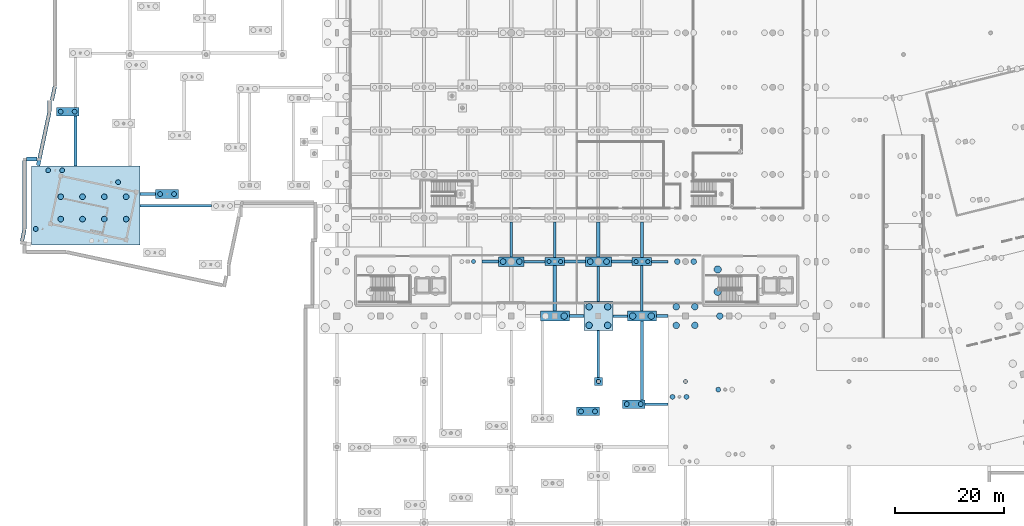
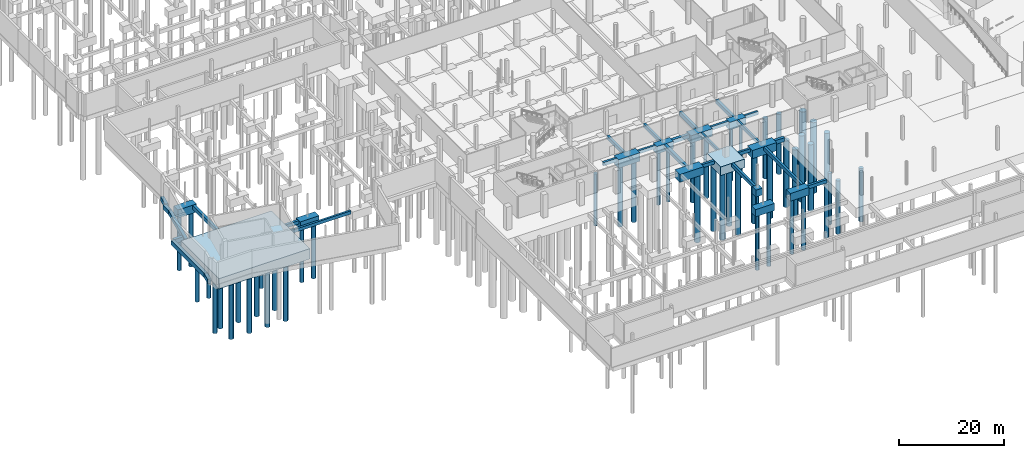
# One storey, part 3 of 65: 50 piles, 40 footings.
"""IFC4 building model written with IfcOpenShell, lengths in metres."""

from ifc_helpers import new_model, si_unit, direction, frame, origin, origin_2d, place, context, subcontext, project, spatial, rectangle, circle, extrude, material, material_profile, profile_set, type_object, element, save


model = new_model("IFC4")

# Units and contexts
model_context = context("Model", 3, precision=1e-05, world=origin(), true_north=direction((0.0, 1.0)))
body_context = subcontext(model_context, "Body", "Model", "MODEL_VIEW")
ifc_project = project(units=[si_unit("LENGTHUNIT", "METRE"), si_unit("AREAUNIT", "SQUARE_METRE"), si_unit("VOLUMEUNIT", "CUBIC_METRE"), si_unit("PLANEANGLEUNIT", "RADIAN"), si_unit("MASSUNIT", "GRAM", prefix="KILO")], contexts=[model_context])

# Site, building, storey
site_placement = place(None, origin())
site = spatial("IfcSite", under=ifc_project, at=site_placement, CompositionType="ELEMENT")
building_placement = place(site_placement, origin())
building = spatial("IfcBuilding", under=site, at=building_placement, Name="Khorjan Park Terminus", CompositionType="ELEMENT")
storey_placement = place(building_placement, frame((0.0, 0.0, -5.4)))
storey = spatial("IfcBuildingStorey", under=building, at=storey_placement, Name="B1", CompositionType="ELEMENT", Elevation=-5.4)

# Footings
ifc_material = material(Name="Concrete C40/50", Category="concrete")
ifc_material_profile_1 = material_profile(ifc_material, rectangle(XDim=0.45, YDim=0.75, at=origin_2d()), Name="RC 450x750")
ifc_profile_set_1 = profile_set([ifc_material_profile_1], Name="Concrete C40/50")
footing_type_1 = type_object("IfcFootingType", Name="FTG-GB-450x750", PredefinedType="FOOTING_BEAM", material=ifc_profile_set_1)
footing_1_placement = place(storey_placement, frame((98.66, 26.0, -0.375), z_axis=(1.0, 0.0, 0.0), x_axis=(0.0, 1.0, 0.0)))
element("IfcFooting", 1, at=footing_1_placement, inside=storey, type_object=footing_type_1, Name="Reinforced concrete ground tie beam FB-07 (20)", PredefinedType="FOOTING_BEAM", context=body_context, shape_type="SweptSolid", body=[
    extrude(rectangle(XDim=0.45, YDim=0.75, at=origin_2d()), origin(), (0.0, 0.0, 1.0), 2.68),
])
footing_2_placement = place(storey_placement, frame((82.371, 36.0, -0.375), z_axis=(1.0, 0.0, 0.0), x_axis=(0.0, 1.0, 0.0)))
element("IfcFooting", 2, at=footing_2_placement, inside=storey, type_object=footing_type_1, Name="Reinforced concrete ground tie beam FB-07 (23)", PredefinedType="FOOTING_BEAM", context=body_context, shape_type="SweptSolid", body=[
    extrude(rectangle(XDim=0.45, YDim=0.75, at=origin_2d()), origin(), (0.0, 0.0, 1.0), 3.835),
])
footing_3_placement = place(storey_placement, frame((105.794, 36.0, -0.375), z_axis=(1.0, 0.0, 0.0), x_axis=(0.0, 1.0, 0.0)))
element("IfcFooting", 3, at=footing_3_placement, inside=storey, type_object=footing_type_1, Name="Reinforced concrete ground tie beam FB-07 (26)", PredefinedType="FOOTING_BEAM", context=body_context, shape_type="SweptSolid", body=[
    extrude(rectangle(XDim=0.45, YDim=0.75, at=origin_2d()), origin(), (0.0, 0.0, 1.0), 3.014),
])
footing_4_placement = place(storey_placement, frame((11.885, 46.21, -0.375), z_axis=(1.0, 0.0, 0.0), x_axis=(0.0, 1.0, 0.0)))
element("IfcFooting", 4, at=footing_4_placement, inside=storey, type_object=footing_type_1, Name="Reinforced concrete ground tie beam FB-07 (35)", PredefinedType="FOOTING_BEAM", context=body_context, shape_type="SweptSolid", body=[
    extrude(rectangle(XDim=0.45, YDim=0.75, at=origin_2d()), origin(), (0.0, 0.0, 1.0), 13.132),
])
footing_5_placement = place(storey_placement, frame((96.0, 28.66, -0.375), z_axis=(0.0, 1.0, 0.0), x_axis=(-1.0, 0.0, 0.0)))
element("IfcFooting", 5, at=footing_5_placement, inside=storey, type_object=footing_type_1, Name="Reinforced concrete ground tie beam FB-07 (317)", PredefinedType="FOOTING_BEAM", context=body_context, shape_type="SweptSolid", body=[
    extrude(rectangle(XDim=0.45, YDim=0.75, at=origin_2d()), origin(), (0.0, 0.0, 1.0), 6.465),
])
footing_6_placement = place(storey_placement, frame((104.0, 26.95, -0.375), z_axis=(0.0, 1.0, 0.0), x_axis=(-1.0, 0.0, 0.0)))
element("IfcFooting", 6, at=footing_6_placement, inside=storey, type_object=footing_type_1, Name="Reinforced concrete ground tie beam FB-07 (329)", PredefinedType="FOOTING_BEAM", context=body_context, shape_type="SweptSolid", body=[
    extrude(rectangle(XDim=0.45, YDim=0.75, at=origin_2d()), origin(), (0.0, 0.0, 1.0), 8.325),
])
ifc_material_profile_2 = material_profile(ifc_material, rectangle(XDim=0.5, YDim=0.8, at=origin_2d()), Name="RC 500x800")
ifc_profile_set_2 = profile_set([ifc_material_profile_2], Name="Concrete C40/50")
footing_type_2 = type_object("IfcFootingType", Name="FTG-GB-500x800", PredefinedType="FOOTING_BEAM", material=ifc_profile_set_2)
footing_7_placement = place(storey_placement, frame((104.578, 9.83, -0.4), z_axis=(1.0, 0.0, 0.0), x_axis=(0.0, 1.0, 0.0)))
element("IfcFooting", 7, at=footing_7_placement, inside=storey, type_object=footing_type_2, Name="Reinforced concrete ground tie beam FB-08 (16)", PredefinedType="FOOTING_BEAM", context=body_context, shape_type="SweptSolid", body=[
    extrude(rectangle(XDim=0.5, YDim=0.8, at=origin_2d()), origin(), (0.0, 0.0, 1.0), 4.23),
])
footing_8_placement = place(storey_placement, frame((90.66, 26.0, -0.4), z_axis=(1.0, 0.0, 0.0), x_axis=(0.0, 1.0, 0.0)))
element("IfcFooting", 8, at=footing_8_placement, inside=storey, type_object=footing_type_2, Name="Reinforced concrete ground tie beam FB-08 (19)", PredefinedType="FOOTING_BEAM", context=body_context, shape_type="SweptSolid", body=[
    extrude(rectangle(XDim=0.5, YDim=0.8, at=origin_2d()), origin(), (0.0, 0.0, 1.0), 2.68),
])
footing_9_placement = place(storey_placement, frame((74.66, 36.0, -0.4), z_axis=(1.0, 0.0, 0.0), x_axis=(0.0, 1.0, 0.0)))
element("IfcFooting", 9, at=footing_9_placement, inside=storey, type_object=footing_type_2, Name="Reinforced concrete ground tie beam FB-08 (22)", PredefinedType="FOOTING_BEAM", context=body_context, shape_type="SweptSolid", body=[
    extrude(rectangle(XDim=0.5, YDim=0.8, at=origin_2d()), origin(), (0.0, 0.0, 1.0), 2.969),
])
footing_10_placement = place(storey_placement, frame((98.371, 36.0, -0.4), z_axis=(1.0, 0.0, 0.0), x_axis=(0.0, 1.0, 0.0)))
element("IfcFooting", 10, at=footing_10_placement, inside=storey, type_object=footing_type_2, Name="Reinforced concrete ground tie beam FB-08 (25)", PredefinedType="FOOTING_BEAM", context=body_context, shape_type="SweptSolid", body=[
    extrude(rectangle(XDim=0.5, YDim=0.8, at=origin_2d()), origin(), (0.0, 0.0, 1.0), 3.835),
])
footing_11_placement = place(storey_placement, frame((11.885, 48.39, -0.4), z_axis=(1.0, 0.0, 0.0), x_axis=(0.0, 1.0, 0.0)))
element("IfcFooting", 11, at=footing_11_placement, inside=storey, type_object=footing_type_2, Name="Reinforced concrete ground tie beam FB-08 (37)", PredefinedType="FOOTING_BEAM", context=body_context, shape_type="SweptSolid", body=[
    extrude(rectangle(XDim=0.5, YDim=0.8, at=origin_2d()), origin(), (0.0, 0.0, 1.0), 2.86),
])
footing_12_placement = place(storey_placement, frame((80.0, 36.875, -0.4), z_axis=(0.0, 1.0, 0.0), x_axis=(-1.0, 0.0, 0.0)))
element("IfcFooting", 12, at=footing_12_placement, inside=storey, type_object=footing_type_2, Name="Reinforced concrete ground tie beam FB-08 (289)", PredefinedType="FOOTING_BEAM", context=body_context, shape_type="SweptSolid", body=[
    extrude(rectangle(XDim=0.5, YDim=0.8, at=origin_2d()), origin(), (0.0, 0.0, 1.0), 6.4),
])
footing_13_placement = place(storey_placement, frame((88.0, 36.725, -0.4), z_axis=(0.0, 1.0, 0.0), x_axis=(-1.0, 0.0, 0.0)))
element("IfcFooting", 13, at=footing_13_placement, inside=storey, type_object=footing_type_2, Name="Reinforced concrete ground tie beam FB-08 (304)", PredefinedType="FOOTING_BEAM", context=body_context, shape_type="SweptSolid", body=[
    extrude(rectangle(XDim=0.5, YDim=0.8, at=origin_2d()), origin(), (0.0, 0.0, 1.0), 6.55),
])
footing_14_placement = place(storey_placement, frame((96.0, 14.725, -0.4), z_axis=(0.0, 1.0, 0.0), x_axis=(-1.0, 0.0, 0.0)))
element("IfcFooting", 14, at=footing_14_placement, inside=storey, type_object=footing_type_2, Name="Reinforced concrete ground tie beam FB-08 (316)", PredefinedType="FOOTING_BEAM", context=body_context, shape_type="SweptSolid", body=[
    extrude(rectangle(XDim=0.5, YDim=0.8, at=origin_2d()), origin(), (0.0, 0.0, 1.0), 8.615),
])
footing_15_placement = place(storey_placement, frame((104.0, 10.63, -0.4), z_axis=(0.0, 1.0, 0.0), x_axis=(-1.0, 0.0, 0.0)))
element("IfcFooting", 15, at=footing_15_placement, inside=storey, type_object=footing_type_2, Name="Reinforced concrete ground tie beam FB-08 (328)", PredefinedType="FOOTING_BEAM", context=body_context, shape_type="SweptSolid", body=[
    extrude(rectangle(XDim=0.5, YDim=0.8, at=origin_2d()), origin(), (0.0, 0.0, 1.0), 14.42),
])
ifc_material_profile_3 = material_profile(ifc_material, rectangle(XDim=0.6, YDim=0.9, at=origin_2d()), Name="RC 600x900")
ifc_profile_set_3 = profile_set([ifc_material_profile_3], Name="Concrete C40/50")
footing_type_3 = type_object("IfcFootingType", Name="FTG-GB-600x900", PredefinedType="FOOTING_BEAM", material=ifc_profile_set_3)
footing_16_placement = place(storey_placement, frame((106.66, 26.0, -0.45), z_axis=(1.0, 0.0, 0.0), x_axis=(0.0, 1.0, 0.0)))
element("IfcFooting", 16, at=footing_16_placement, inside=storey, type_object=footing_type_3, Name="Reinforced concrete ground tie beam FB-09 (21)", PredefinedType="FOOTING_BEAM", context=body_context, shape_type="SweptSolid", body=[
    extrude(rectangle(XDim=0.6, YDim=0.9, at=origin_2d()), origin(), (0.0, 0.0, 1.0), 2.148),
])
footing_17_placement = place(storey_placement, frame((89.794, 36.0, -0.45), z_axis=(1.0, 0.0, 0.0), x_axis=(0.0, 1.0, 0.0)))
element("IfcFooting", 17, at=footing_17_placement, inside=storey, type_object=footing_type_3, Name="Reinforced concrete ground tie beam FB-09 (24)", PredefinedType="FOOTING_BEAM", context=body_context, shape_type="SweptSolid", body=[
    extrude(rectangle(XDim=0.6, YDim=0.9, at=origin_2d()), origin(), (0.0, 0.0, 1.0), 3.835),
])
footing_18_placement = place(storey_placement, frame((0.0, 53.56, -0.45), z_axis=(0.0, 1.0, 0.0), x_axis=(-1.0, 0.0, 0.0)))
element("IfcFooting", 18, at=footing_18_placement, inside=storey, type_object=footing_type_3, Name="Reinforced concrete ground tie beam FB-09 (180)", PredefinedType="FOOTING_BEAM", context=body_context, shape_type="SweptSolid", body=[
    extrude(rectangle(XDim=0.6, YDim=0.9, at=origin_2d()), origin(), (0.0, 0.0, 1.0), 9.159),
])
footing_19_placement = place(storey_placement, frame((88.0, 26.95, -0.45), z_axis=(0.0, 1.0, 0.0), x_axis=(-1.0, 0.0, 0.0)))
element("IfcFooting", 19, at=footing_19_placement, inside=storey, type_object=footing_type_3, Name="Reinforced concrete ground tie beam FB-09 (303)", PredefinedType="FOOTING_BEAM", context=body_context, shape_type="SweptSolid", body=[
    extrude(rectangle(XDim=0.6, YDim=0.9, at=origin_2d()), origin(), (0.0, 0.0, 1.0), 8.325),
])
footing_20_placement = place(storey_placement, frame((96.0, 36.875, -0.45), z_axis=(0.0, 1.0, 0.0), x_axis=(-1.0, 0.0, 0.0)))
element("IfcFooting", 20, at=footing_20_placement, inside=storey, type_object=footing_type_3, Name="Reinforced concrete ground tie beam FB-09 (318)", PredefinedType="FOOTING_BEAM", context=body_context, shape_type="SweptSolid", body=[
    extrude(rectangle(XDim=0.6, YDim=0.9, at=origin_2d()), origin(), (0.0, 0.0, 1.0), 6.4),
])
footing_21_placement = place(storey_placement, frame((104.0, 36.725, -0.45), z_axis=(0.0, 1.0, 0.0), x_axis=(-1.0, 0.0, 0.0)))
element("IfcFooting", 21, at=footing_21_placement, inside=storey, type_object=footing_type_3, Name="Reinforced concrete ground tie beam FB-09 (330)", PredefinedType="FOOTING_BEAM", context=body_context, shape_type="SweptSolid", body=[
    extrude(rectangle(XDim=0.6, YDim=0.9, at=origin_2d()), origin(), (0.0, 0.0, 1.0), 6.55),
])
footing_type_4 = type_object("IfcFootingType", Name="FTG-PC-01", PredefinedType="PILE_CAP", material=ifc_material)
footing_22_placement = place(storey_placement, frame((1.9015, 46.2885, -2.42), z_axis=(0.0, 0.0, 1.0), x_axis=(1.0, 0.0, 0.0)))
element("IfcFooting", 22, at=footing_22_placement, inside=storey, type_object=footing_type_4, Name="Reinforced concrete pile cap PC-01 (1)", PredefinedType="PILE_CAP", context=body_context, shape_type="SweptSolid", body=[
    extrude(rectangle(XDim=19.967, YDim=14.543, at=origin_2d()), origin(), (0.0, 0.0, 1.0), 2.42),
])
footing_type_5 = type_object("IfcFootingType", Name="FTG-PC-02", PredefinedType="PILE_CAP", material=ifc_material)
footing_23_placement = place(storey_placement, frame((-1.4255, 63.519, -1.9), z_axis=(0.0, 0.0, 1.0), x_axis=(1.0, 0.0, 0.0)))
element("IfcFooting", 23, at=footing_23_placement, inside=storey, type_object=footing_type_5, Name="Reinforced concrete pile cap PC-02 (2)", PredefinedType="PILE_CAP", context=body_context, shape_type="SweptSolid", body=[
    extrude(rectangle(XDim=4.165, YDim=1.6, at=origin_2d()), origin(), (0.0, 0.0, 1.0), 1.9),
])
footing_type_6 = type_object("IfcFootingType", Name="FTG-PC-04", PredefinedType="PILE_CAP", material=ifc_material)
footing_24_placement = place(storey_placement, frame((88.0, 26.0, -1.84), z_axis=(0.0, 0.0, 1.0), x_axis=(1.0, 0.0, 0.0)))
element("IfcFooting", 24, at=footing_24_placement, inside=storey, type_object=footing_type_6, Name="Reinforced concrete pile cap PC-04 (163)", PredefinedType="PILE_CAP", context=body_context, shape_type="SweptSolid", body=[
    extrude(rectangle(XDim=5.32, YDim=1.9, at=origin_2d()), origin(), (0.0, 0.0, 1.0), 1.84),
])
footing_type_7 = type_object("IfcFootingType", Name="FTG-PC-05", PredefinedType="PILE_CAP", material=ifc_material)
footing_25_placement = place(storey_placement, frame((102.4955, 9.83, -1.78), z_axis=(0.0, 0.0, 1.0), x_axis=(1.0, 0.0, 0.0)))
element("IfcFooting", 25, at=footing_25_placement, inside=storey, type_object=footing_type_7, Name="Reinforced concrete pile cap PC-05 (198)", PredefinedType="PILE_CAP", context=body_context, shape_type="SweptSolid", body=[
    extrude(rectangle(XDim=4.165, YDim=1.6, at=origin_2d()), origin(), (0.0, 0.0, 1.0), 1.78),
])
footing_type_8 = type_object("IfcFootingType", Name="FTG-PC-06", PredefinedType="PILE_CAP", material=ifc_material)
footing_26_placement = place(storey_placement, frame((16.8275, 48.394, -1.84), z_axis=(0.0, 0.0, 1.0), x_axis=(1.0, 0.0, 0.0)))
element("IfcFooting", 26, at=footing_26_placement, inside=storey, type_object=footing_type_8, Name="Reinforced concrete pile cap PC-06 (24)", PredefinedType="PILE_CAP", context=body_context, shape_type="SweptSolid", body=[
    extrude(rectangle(XDim=4.165, YDim=1.6, at=origin_2d()), origin(), (0.0, 0.0, 1.0), 1.84),
])
footing_type_9 = type_object("IfcFootingType", Name="FTG-PC-07", PredefinedType="PILE_CAP", material=ifc_material)
footing_27_placement = place(storey_placement, frame((94.0995, 8.501, -1.66), z_axis=(0.0, 0.0, 1.0), x_axis=(1.0, 0.0, 0.0)))
element("IfcFooting", 27, at=footing_27_placement, inside=storey, type_object=footing_type_9, Name="Reinforced concrete pile cap PC-07 (176)", PredefinedType="PILE_CAP", context=body_context, shape_type="SweptSolid", body=[
    extrude(rectangle(XDim=4.165, YDim=1.6, at=origin_2d()), origin(), (0.0, 0.0, 1.0), 1.66),
])
footing_type_10 = type_object("IfcFootingType", Name="FTG-PC-15", PredefinedType="PILE_CAP", material=ifc_material)
footing_28_placement = place(storey_placement, frame((96.0, 14.0, -1.6), z_axis=(0.0, 0.0, 1.0), x_axis=(1.0, 0.0, 0.0)))
element("IfcFooting", 28, at=footing_28_placement, inside=storey, type_object=footing_type_10, Name="Reinforced concrete pile cap PC-15 (195)", PredefinedType="PILE_CAP", context=body_context, shape_type="SweptSolid", body=[
    extrude(rectangle(XDim=1.45, YDim=1.45, at=origin_2d()), origin(), (0.0, 0.0, 1.0), 1.6),
])
footing_type_11 = type_object("IfcFootingType", Name="FTG-PC-24", PredefinedType="PILE_CAP", material=ifc_material)
footing_29_placement = place(storey_placement, frame((96.0, 26.0, -2.02), z_axis=(0.0, 0.0, 1.0), x_axis=(1.0, 0.0, 0.0)))
element("IfcFooting", 29, at=footing_29_placement, inside=storey, type_object=footing_type_11, Name="Reinforced concrete pile cap PC-24 (177)", PredefinedType="PILE_CAP", context=body_context, shape_type="SweptSolid", body=[
    extrude(rectangle(XDim=5.32, YDim=5.32, at=origin_2d()), origin(), (0.0, 0.0, 1.0), 2.02),
])
footing_type_12 = type_object("IfcFootingType", Name="FTG-PC-25", PredefinedType="PILE_CAP", material=ifc_material)
footing_30_placement = place(storey_placement, frame((80.0, 36.0, -1.96), z_axis=(0.0, 0.0, 1.0), x_axis=(1.0, 0.0, 0.0)))
element("IfcFooting", 30, at=footing_30_placement, inside=storey, type_object=footing_type_12, Name="Reinforced concrete pile cap PC-25 (149)", PredefinedType="PILE_CAP", context=body_context, shape_type="SweptSolid", body=[
    extrude(rectangle(XDim=4.742, YDim=1.75, at=origin_2d()), origin(), (0.0, 0.0, 1.0), 1.96),
])
footing_type_13 = type_object("IfcFootingType", Name="FTG-PC-26", PredefinedType="PILE_CAP", material=ifc_material)
footing_31_placement = place(storey_placement, frame((96.0, 36.0, -1.72), z_axis=(0.0, 0.0, 1.0), x_axis=(1.0, 0.0, 0.0)))
element("IfcFooting", 31, at=footing_31_placement, inside=storey, type_object=footing_type_13, Name="Reinforced concrete pile cap PC-26 (179)", PredefinedType="PILE_CAP", context=body_context, shape_type="SweptSolid", body=[
    extrude(rectangle(XDim=4.742, YDim=1.75, at=origin_2d()), origin(), (0.0, 0.0, 1.0), 1.72),
])
footing_type_14 = type_object("IfcFootingType", Name="FTG-PC-34", PredefinedType="PILE_CAP", material=ifc_material)
footing_32_placement = place(storey_placement, frame((104.0, 26.0, -1.9), z_axis=(0.0, 0.0, 1.0), x_axis=(1.0, 0.0, 0.0)))
element("IfcFooting", 32, at=footing_32_placement, inside=storey, type_object=footing_type_14, Name="Reinforced concrete pile cap PC-34 (199)", PredefinedType="PILE_CAP", context=body_context, shape_type="SweptSolid", body=[
    extrude(rectangle(XDim=5.32, YDim=1.9, at=origin_2d()), origin(), (0.0, 0.0, 1.0), 1.9),
])
footing_type_15 = type_object("IfcFootingType", Name="FTG-PC-36", PredefinedType="PILE_CAP", material=ifc_material)
footing_33_placement = place(storey_placement, frame((88.0, 36.0, -1.72), z_axis=(0.0, 0.0, 1.0), x_axis=(1.0, 0.0, 0.0)))
element("IfcFooting", 33, at=footing_33_placement, inside=storey, type_object=footing_type_15, Name="Reinforced concrete pile cap PC-36 (170)", PredefinedType="PILE_CAP", context=body_context, shape_type="SweptSolid", body=[
    extrude(rectangle(XDim=3.588, YDim=1.45, at=origin_2d()), origin(), (0.0, 0.0, 1.0), 1.72),
])
footing_type_16 = type_object("IfcFootingType", Name="FTG-PC-37", PredefinedType="PILE_CAP", material=ifc_material)
footing_34_placement = place(storey_placement, frame((104.0, 36.0, -1.78), z_axis=(0.0, 0.0, 1.0), x_axis=(1.0, 0.0, 0.0)))
element("IfcFooting", 34, at=footing_34_placement, inside=storey, type_object=footing_type_16, Name="Reinforced concrete pile cap PC-37 (207)", PredefinedType="PILE_CAP", context=body_context, shape_type="SweptSolid", body=[
    extrude(rectangle(XDim=3.588, YDim=1.45, at=origin_2d()), origin(), (0.0, 0.0, 1.0), 1.78),
])
ifc_material_profile_4 = material_profile(ifc_material, rectangle(XDim=0.7, YDim=1.0, at=origin_2d()), Name="RC 700x1000")
ifc_profile_set_4 = profile_set([ifc_material_profile_4], Name="Concrete C40/50")
footing_type_17 = type_object("IfcFootingType", Name="FTG-SF-700x1000", PredefinedType="STRIP_FOOTING", material=ifc_profile_set_4)
footing_35_placement = place(storey_placement, frame((-6.8594, 53.6363, -0.5), z_axis=(0.207915730961, 0.978146741966, 0.0), x_axis=(-0.978146741966, 0.207915730961, 0.0)))
element("IfcFooting", 35, at=footing_35_placement, inside=storey, type_object=footing_type_17, Name="Reinforced concrete wall strip footing SF-07 (24)", PredefinedType="STRIP_FOOTING", context=body_context, shape_type="SweptSolid", body=[
    extrude(rectangle(XDim=0.7, YDim=1.0, at=origin_2d()), origin(), (0.0, 0.0, 1.0), 10.0339),
])
footing_36_placement = place(storey_placement, frame((-4.768, 63.5267, -0.5), z_axis=(0.0, 1.0, 0.0), x_axis=(-1.0, 0.0, 0.0)))
element("IfcFooting", 36, at=footing_36_placement, inside=storey, type_object=footing_type_17, Name="Reinforced concrete wall strip footing SF-07 (39)", PredefinedType="STRIP_FOOTING", context=body_context, shape_type="SweptSolid", body=[
    extrude(rectangle(XDim=0.7, YDim=1.0, at=origin_2d()), origin(), (0.0, 0.0, 1.0), 2.0523),
])
footing_37_placement = place(storey_placement, frame((-9.342, 41.9821, -0.5), z_axis=(0.0, 1.0, 0.0), x_axis=(-1.0, 0.0, 0.0)))
element("IfcFooting", 37, at=footing_37_placement, inside=storey, type_object=footing_type_17, Name="Reinforced concrete wall strip footing SF-07 (54)", PredefinedType="STRIP_FOOTING", context=body_context, shape_type="SweptSolid", body=[
    extrude(rectangle(XDim=0.7, YDim=1.0, at=origin_2d()), origin(), (0.0, 0.0, 1.0), 12.5979),
])
footing_38_placement = place(storey_placement, frame((-8.989, 54.82, -0.5), z_axis=(1.0, 0.0, 0.0), x_axis=(0.0, 1.0, 0.0)))
element("IfcFooting", 38, at=footing_38_placement, inside=storey, type_object=footing_type_17, Name="Reinforced concrete wall strip footing SF-07 (90)", PredefinedType="STRIP_FOOTING", context=body_context, shape_type="SweptSolid", body=[
    extrude(rectangle(XDim=0.7, YDim=1.0, at=origin_2d()), origin(), (0.0, 0.0, 1.0), 1.9454),
])
footing_39_placement = place(storey_placement, frame((-4.3209, 65.579, -0.5), z_axis=(0.207916143478, 0.978146654281, 0.0), x_axis=(-0.978146654281, 0.207916143478, 0.0)))
element("IfcFooting", 39, at=footing_39_placement, inside=storey, type_object=footing_type_17, Name="Reinforced concrete wall strip footing SF-07 (92)", PredefinedType="STRIP_FOOTING", context=body_context, shape_type="SweptSolid", body=[
    extrude(rectangle(XDim=0.7, YDim=1.0, at=origin_2d()), origin(), (0.0, 0.0, 1.0), 2.6467),
])
footing_40_placement = place(storey_placement, frame((-9.7932, 39.8343, -0.5), z_axis=(0.207936647442, 0.978142295707, 0.0), x_axis=(-0.978142295707, 0.207936647442, 0.0)))
element("IfcFooting", 40, at=footing_40_placement, inside=storey, type_object=footing_type_17, Name="Reinforced concrete wall strip footing SF-07 (94)", PredefinedType="STRIP_FOOTING", context=body_context, shape_type="SweptSolid", body=[
    extrude(rectangle(XDim=0.7, YDim=1.0, at=origin_2d()), origin(), (0.0, 0.0, 1.0), 2.1189),
])

# Piles
ifc_material_profile_5 = material_profile(ifc_material, circle(Radius=0.525, at=origin_2d()), Name="BORED D1050")
ifc_profile_set_5 = profile_set([ifc_material_profile_5], Name="Concrete C40/50")
pile_type_1 = type_object("IfcPileType", Name="PL-D1050", PredefinedType="BORED", material=ifc_profile_set_5)
for number, where, z_axis, x_axis, name in (
    (41, (-2.696, 43.8, -2.32), (0.0, 0.0, -1.0), (1.0, 0.0, 0.0), "Bored rock-socketed pile PL-105 (1)"),
    (42, (-2.696, 47.9, -2.32), (0.0, 0.0, -1.0), (1.0, 0.0, 0.0), "Bored rock-socketed pile PL-105 (2)"),
    (43, (1.304, 43.8, -2.32), (0.0, 0.0, -1.0), (1.0, 0.0, 0.0), "Bored rock-socketed pile PL-105 (3)"),
    (44, (1.304, 47.9, -2.32), (0.0, 0.0, -1.0), (1.0, 0.0, 0.0), "Bored rock-socketed pile PL-105 (4)"),
    (45, (5.304, 43.8, -2.32), (0.0, 0.0, -1.0), (1.0, 0.0, 0.0), "Bored rock-socketed pile PL-105 (5)"),
    (46, (5.304, 47.9, -2.32), (0.0, 0.0, -1.0), (1.0, 0.0, 0.0), "Bored rock-socketed pile PL-105 (6)"),
    (47, (9.304, 43.8, -2.32), (0.0, 0.0, -1.0), (1.0, 0.0, 0.0), "Bored rock-socketed pile PL-105 (7)"),
    (48, (9.304, 47.9, -2.32), (0.0, 0.0, -1.0), (1.0, 0.0, 0.0), "Bored rock-socketed pile PL-105 (8)"),
):
    element("IfcPile", number, at=place(storey_placement, frame(where, z_axis=z_axis, x_axis=x_axis)), inside=storey, type_object=pile_type_1, Name=name, PredefinedType="BORED", context=body_context, shape_type="SweptSolid", body=[
        extrude(circle(Radius=0.525, at=origin_2d()), origin(), (0.0, 0.0, 1.0), 16.28),
    ])
for number, where, z_axis, x_axis, name in (
    (49, (78.5035, 36.0, -1.86), (0.0, 0.0, -1.0), (1.0, 0.0, 0.0), "Bored rock-socketed pile PL-105 (340)"),
    (50, (81.4965, 36.0, -1.86), (0.0, 0.0, -1.0), (1.0, 0.0, 0.0), "Bored rock-socketed pile PL-105 (341)"),
):
    element("IfcPile", number, at=place(storey_placement, frame(where, z_axis=z_axis, x_axis=x_axis)), inside=storey, type_object=pile_type_1, Name=name, PredefinedType="BORED", context=body_context, shape_type="SweptSolid", body=[
        extrude(circle(Radius=0.525, at=origin_2d()), origin(), (0.0, 0.0, 1.0), 14.24),
    ])
for number, where, z_axis, x_axis, name in (
    (51, (94.5035, 36.0, -1.62), (0.0, 0.0, -1.0), (1.0, 0.0, 0.0), "Bored rock-socketed pile PL-105 (400)"),
    (52, (97.4965, 36.0, -1.62), (0.0, 0.0, -1.0), (1.0, 0.0, 0.0), "Bored rock-socketed pile PL-105 (401)"),
):
    element("IfcPile", number, at=place(storey_placement, frame(where, z_axis=z_axis, x_axis=x_axis)), inside=storey, type_object=pile_type_1, Name=name, PredefinedType="BORED", context=body_context, shape_type="SweptSolid", body=[
        extrude(circle(Radius=0.525, at=origin_2d()), origin(), (0.0, 0.0, 1.0), 14.48),
    ])
for number, where, z_axis, x_axis, name in (
    (53, (110.5035, 36.0, -2.14), (0.0, 0.0, -1.0), (1.0, 0.0, 0.0), "Bored rock-socketed pile PL-105 (611)"),
    (54, (113.4965, 36.0, -2.14), (0.0, 0.0, -1.0), (1.0, 0.0, 0.0), "Bored rock-socketed pile PL-105 (612)"),
):
    element("IfcPile", number, at=place(storey_placement, frame(where, z_axis=z_axis, x_axis=x_axis)), inside=storey, type_object=pile_type_1, Name=name, PredefinedType="BORED", context=body_context, shape_type="SweptSolid", body=[
        extrude(circle(Radius=0.525, at=origin_2d()), origin(), (0.0, 0.0, 1.0), 13.96),
    ])
ifc_material_profile_6 = material_profile(ifc_material, circle(Radius=0.6, at=origin_2d()), Name="BORED D1200")
ifc_profile_set_6 = profile_set([ifc_material_profile_6], Name="Concrete C40/50")
pile_type_2 = type_object("IfcPileType", Name="PL-D1200", PredefinedType="BORED", material=ifc_profile_set_6)
pile_1_placement = place(storey_placement, frame((89.71, 26.0, -1.74), z_axis=(0.0, 0.0, -1.0), x_axis=(1.0, 0.0, 0.0)))
element("IfcPile", 55, at=pile_1_placement, inside=storey, type_object=pile_type_2, Name="Bored rock-socketed pile PL-120 (365)", PredefinedType="BORED", context=body_context, shape_type="SweptSolid", body=[
    extrude(circle(Radius=0.6, at=origin_2d()), origin(), (0.0, 0.0, 1.0), 15.86),
])
for number, where, z_axis, x_axis, name in (
    (56, (94.29, 24.29, -1.92), (0.0, 0.0, -1.0), (1.0, 0.0, 0.0), "Bored rock-socketed pile PL-120 (392)"),
    (57, (94.29, 27.71, -1.92), (0.0, 0.0, -1.0), (1.0, 0.0, 0.0), "Bored rock-socketed pile PL-120 (393)"),
    (58, (97.71, 24.29, -1.92), (0.0, 0.0, -1.0), (1.0, 0.0, 0.0), "Bored rock-socketed pile PL-120 (394)"),
    (59, (97.71, 27.71, -1.92), (0.0, 0.0, -1.0), (1.0, 0.0, 0.0), "Bored rock-socketed pile PL-120 (395)"),
):
    element("IfcPile", number, at=place(storey_placement, frame(where, z_axis=z_axis, x_axis=x_axis)), inside=storey, type_object=pile_type_2, Name=name, PredefinedType="BORED", context=body_context, shape_type="SweptSolid", body=[
        extrude(circle(Radius=0.6, at=origin_2d()), origin(), (0.0, 0.0, 1.0), 15.68),
    ])
for number, where, z_axis, x_axis, name in (
    (60, (102.29, 26.0, -1.8), (0.0, 0.0, -1.0), (1.0, 0.0, 0.0), "Bored rock-socketed pile PL-120 (438)"),
    (61, (105.71, 26.0, -1.8), (0.0, 0.0, -1.0), (1.0, 0.0, 0.0), "Bored rock-socketed pile PL-120 (439)"),
):
    element("IfcPile", number, at=place(storey_placement, frame(where, z_axis=z_axis, x_axis=x_axis)), inside=storey, type_object=pile_type_2, Name=name, PredefinedType="BORED", context=body_context, shape_type="SweptSolid", body=[
        extrude(circle(Radius=0.6, at=origin_2d()), origin(), (0.0, 0.0, 1.0), 15.8),
    ])
for number, where, z_axis, x_axis, name in (
    (62, (110.29, 24.29, -2.14), (0.0, 0.0, -1.0), (1.0, 0.0, 0.0), "Bored rock-socketed pile PL-120 (579)"),
    (63, (110.29, 27.71, -2.14), (0.0, 0.0, -1.0), (1.0, 0.0, 0.0), "Bored rock-socketed pile PL-120 (580)"),
    (64, (113.71, 24.29, -2.14), (0.0, 0.0, -1.0), (1.0, 0.0, 0.0), "Bored rock-socketed pile PL-120 (581)"),
    (65, (113.71, 27.71, -2.14), (0.0, 0.0, -1.0), (1.0, 0.0, 0.0), "Bored rock-socketed pile PL-120 (582)"),
    (66, (118.29, 26.0, -2.14), (0.0, 0.0, -1.0), (1.0, 0.0, 0.0), "Bored rock-socketed pile PL-120 (583)"),
):
    element("IfcPile", number, at=place(storey_placement, frame(where, z_axis=z_axis, x_axis=x_axis)), inside=storey, type_object=pile_type_2, Name=name, PredefinedType="BORED", context=body_context, shape_type="SweptSolid", body=[
        extrude(circle(Radius=0.6, at=origin_2d()), origin(), (0.0, 0.0, 1.0), 15.46),
    ])
ifc_material_profile_7 = material_profile(ifc_material, circle(Radius=0.675, at=origin_2d()), Name="BORED D1350")
ifc_profile_set_7 = profile_set([ifc_material_profile_7], Name="Concrete C40/50")
pile_type_3 = type_object("IfcPileType", Name="PL-D1350", PredefinedType="BORED", material=ifc_profile_set_7)
for number, where, z_axis, x_axis, name in (
    (67, (117.9, 30.45, -2.14), (0.0, 0.0, -1.0), (1.0, 0.0, 0.0), "Bored rock-socketed pile PL-135 (472)"),
    (68, (117.9, 34.55, -2.14), (0.0, 0.0, -1.0), (1.0, 0.0, 0.0), "Bored rock-socketed pile PL-135 (473)"),
):
    element("IfcPile", number, at=place(storey_placement, frame(where, z_axis=z_axis, x_axis=x_axis)), inside=storey, type_object=pile_type_3, Name=name, PredefinedType="BORED", context=body_context, shape_type="SweptSolid", body=[
        extrude(circle(Radius=0.675, at=origin_2d()), origin(), (0.0, 0.0, 1.0), 16.46),
    ])
ifc_material_profile_8 = material_profile(ifc_material, circle(Radius=0.375, at=origin_2d()), Name="BORED D750")
ifc_profile_set_8 = profile_set([ifc_material_profile_8], Name="Concrete C40/50")
pile_type_4 = type_object("IfcPileType", Name="PL-D750", PredefinedType="BORED", material=ifc_profile_set_8)
pile_2_placement = place(storey_placement, frame((73.069, 36.0, -1.98), z_axis=(0.0, 0.0, -1.0), x_axis=(1.0, 0.0, 0.0)))
element("IfcPile", 69, at=pile_2_placement, inside=storey, type_object=pile_type_4, Name="Bored rock-socketed pile PL-75 (158)", PredefinedType="BORED", context=body_context, shape_type="SweptSolid", body=[
    extrude(circle(Radius=0.375, at=origin_2d()), origin(), (0.0, 0.0, 1.0), 12.12),
])
for number, where, z_axis, x_axis, name in (
    (70, (86.931, 36.0, -1.62), (0.0, 0.0, -1.0), (1.0, 0.0, 0.0), "Bored rock-socketed pile PL-75 (378)"),
    (71, (89.069, 36.0, -1.62), (0.0, 0.0, -1.0), (1.0, 0.0, 0.0), "Bored rock-socketed pile PL-75 (379)"),
):
    element("IfcPile", number, at=place(storey_placement, frame(where, z_axis=z_axis, x_axis=x_axis)), inside=storey, type_object=pile_type_4, Name=name, PredefinedType="BORED", context=body_context, shape_type="SweptSolid", body=[
        extrude(circle(Radius=0.375, at=origin_2d()), origin(), (0.0, 0.0, 1.0), 12.48),
    ])
pile_3_placement = place(storey_placement, frame((96.0, 14.0, -1.5), z_axis=(0.0, 0.0, -1.0), x_axis=(1.0, 0.0, 0.0)))
element("IfcPile", 72, at=pile_3_placement, inside=storey, type_object=pile_type_4, Name="Bored rock-socketed pile PL-75 (433)", PredefinedType="BORED", context=body_context, shape_type="SweptSolid", body=[
    extrude(circle(Radius=0.375, at=origin_2d()), origin(), (0.0, 0.0, 1.0), 12.6),
])
for number, where, z_axis, x_axis, name in (
    (73, (102.931, 36.0, -1.68), (0.0, 0.0, -1.0), (1.0, 0.0, 0.0), "Bored rock-socketed pile PL-75 (454)"),
    (74, (105.069, 36.0, -1.68), (0.0, 0.0, -1.0), (1.0, 0.0, 0.0), "Bored rock-socketed pile PL-75 (455)"),
):
    element("IfcPile", number, at=place(storey_placement, frame(where, z_axis=z_axis, x_axis=x_axis)), inside=storey, type_object=pile_type_4, Name=name, PredefinedType="BORED", context=body_context, shape_type="SweptSolid", body=[
        extrude(circle(Radius=0.375, at=origin_2d()), origin(), (0.0, 0.0, 1.0), 12.42),
    ])
pile_4_placement = place(storey_placement, frame((112.0, 14.0, -2.14), z_axis=(0.0, 0.0, -1.0), x_axis=(1.0, 0.0, 0.0)))
element("IfcPile", 75, at=pile_4_placement, inside=storey, type_object=pile_type_4, Name="Bored rock-socketed pile PL-75 (731)", PredefinedType="BORED", context=body_context, shape_type="SweptSolid", body=[
    extrude(circle(Radius=0.375, at=origin_2d()), origin(), (0.0, 0.0, 1.0), 11.96),
])
ifc_material_profile_9 = material_profile(ifc_material, circle(Radius=0.45, at=origin_2d()), Name="BORED D900")
ifc_profile_set_9 = profile_set([ifc_material_profile_9], Name="Concrete C40/50")
pile_type_5 = type_object("IfcPileType", Name="PL-D900", PredefinedType="BORED", material=ifc_profile_set_9)
for number, where, z_axis, x_axis, name in (
    (76, (-7.2825, 42.0, -2.32), (0.0, 0.0, -1.0), (1.0, 0.0, 0.0), "Bored rock-socketed pile PL-90 (9)"),
    (77, (-4.9955, 52.76, -2.32), (0.0, 0.0, -1.0), (1.0, 0.0, 0.0), "Bored rock-socketed pile PL-90 (10)"),
    (78, (-2.4305, 52.76, -2.32), (0.0, 0.0, -1.0), (1.0, 0.0, 0.0), "Bored rock-socketed pile PL-90 (11)"),
    (79, (7.8405, 50.577, -2.32), (0.0, 0.0, -1.0), (1.0, 0.0, 0.0), "Bored rock-socketed pile PL-90 (14)"),
):
    element("IfcPile", number, at=place(storey_placement, frame(where, z_axis=z_axis, x_axis=x_axis)), inside=storey, type_object=pile_type_5, Name=name, PredefinedType="BORED", context=body_context, shape_type="SweptSolid", body=[
        extrude(circle(Radius=0.45, at=origin_2d()), origin(), (0.0, 0.0, 1.0), 12.28),
    ])
for number, where, z_axis, x_axis, name in (
    (80, (-2.7085, 63.519, -1.8), (0.0, 0.0, -1.0), (1.0, 0.0, 0.0), "Bored rock-socketed pile PL-90 (15)"),
    (81, (-0.1435, 63.519, -1.8), (0.0, 0.0, -1.0), (1.0, 0.0, 0.0), "Bored rock-socketed pile PL-90 (16)"),
):
    element("IfcPile", number, at=place(storey_placement, frame(where, z_axis=z_axis, x_axis=x_axis)), inside=storey, type_object=pile_type_5, Name=name, PredefinedType="BORED", context=body_context, shape_type="SweptSolid", body=[
        extrude(circle(Radius=0.45, at=origin_2d()), origin(), (0.0, 0.0, 1.0), 12.8),
    ])
for number, where, z_axis, x_axis, name in (
    (82, (15.5455, 48.394, -1.74), (0.0, 0.0, -1.0), (1.0, 0.0, 0.0), "Bored rock-socketed pile PL-90 (60)"),
    (83, (18.1105, 48.394, -1.74), (0.0, 0.0, -1.0), (1.0, 0.0, 0.0), "Bored rock-socketed pile PL-90 (61)"),
):
    element("IfcPile", number, at=place(storey_placement, frame(where, z_axis=z_axis, x_axis=x_axis)), inside=storey, type_object=pile_type_5, Name=name, PredefinedType="BORED", context=body_context, shape_type="SweptSolid", body=[
        extrude(circle(Radius=0.45, at=origin_2d()), origin(), (0.0, 0.0, 1.0), 12.86),
    ])
for number, where, z_axis, x_axis, name in (
    (84, (92.8175, 8.501, -1.56), (0.0, 0.0, -1.0), (1.0, 0.0, 0.0), "Bored rock-socketed pile PL-90 (390)"),
    (85, (95.3825, 8.501, -1.56), (0.0, 0.0, -1.0), (1.0, 0.0, 0.0), "Bored rock-socketed pile PL-90 (391)"),
):
    element("IfcPile", number, at=place(storey_placement, frame(where, z_axis=z_axis, x_axis=x_axis)), inside=storey, type_object=pile_type_5, Name=name, PredefinedType="BORED", context=body_context, shape_type="SweptSolid", body=[
        extrude(circle(Radius=0.45, at=origin_2d()), origin(), (0.0, 0.0, 1.0), 13.04),
    ])
for number, where, z_axis, x_axis, name in (
    (86, (101.2125, 9.83, -1.68), (0.0, 0.0, -1.0), (1.0, 0.0, 0.0), "Bored rock-socketed pile PL-90 (436)"),
    (87, (103.7775, 9.83, -1.68), (0.0, 0.0, -1.0), (1.0, 0.0, 0.0), "Bored rock-socketed pile PL-90 (437)"),
):
    element("IfcPile", number, at=place(storey_placement, frame(where, z_axis=z_axis, x_axis=x_axis)), inside=storey, type_object=pile_type_5, Name=name, PredefinedType="BORED", context=body_context, shape_type="SweptSolid", body=[
        extrude(circle(Radius=0.45, at=origin_2d()), origin(), (0.0, 0.0, 1.0), 12.92),
    ])
for number, where, z_axis, x_axis, name in (
    (88, (109.6075, 11.16, -2.14), (0.0, 0.0, -1.0), (1.0, 0.0, 0.0), "Bored rock-socketed pile PL-90 (693)"),
    (89, (112.1725, 11.16, -2.14), (0.0, 0.0, -1.0), (1.0, 0.0, 0.0), "Bored rock-socketed pile PL-90 (694)"),
    (90, (118.0035, 12.49, -2.14), (0.0, 0.0, -1.0), (1.0, 0.0, 0.0), "Bored rock-socketed pile PL-90 (699)"),
):
    element("IfcPile", number, at=place(storey_placement, frame(where, z_axis=z_axis, x_axis=x_axis)), inside=storey, type_object=pile_type_5, Name=name, PredefinedType="BORED", context=body_context, shape_type="SweptSolid", body=[
        extrude(circle(Radius=0.45, at=origin_2d()), origin(), (0.0, 0.0, 1.0), 12.46),
    ])

save(model, "model.ifc")
